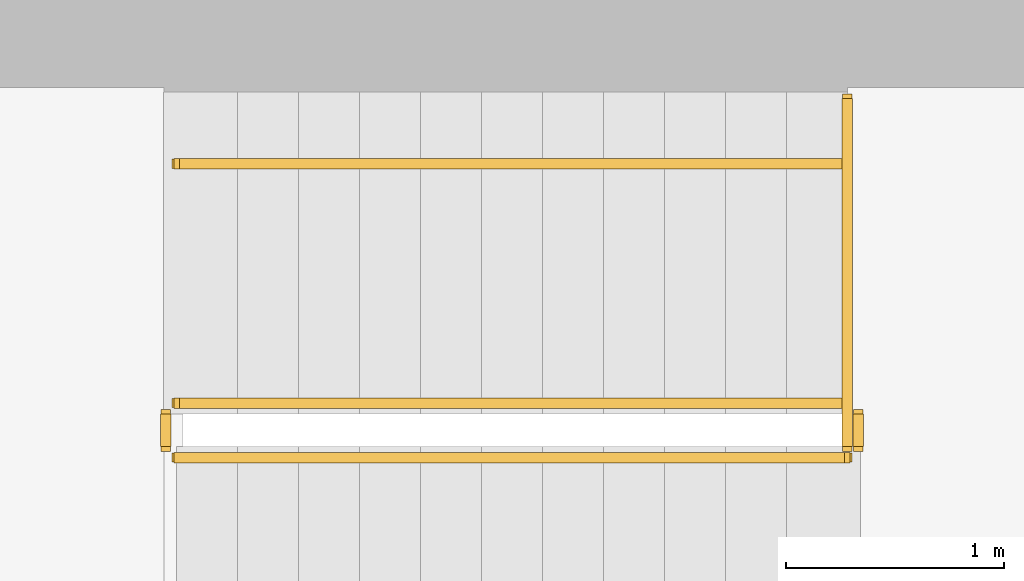
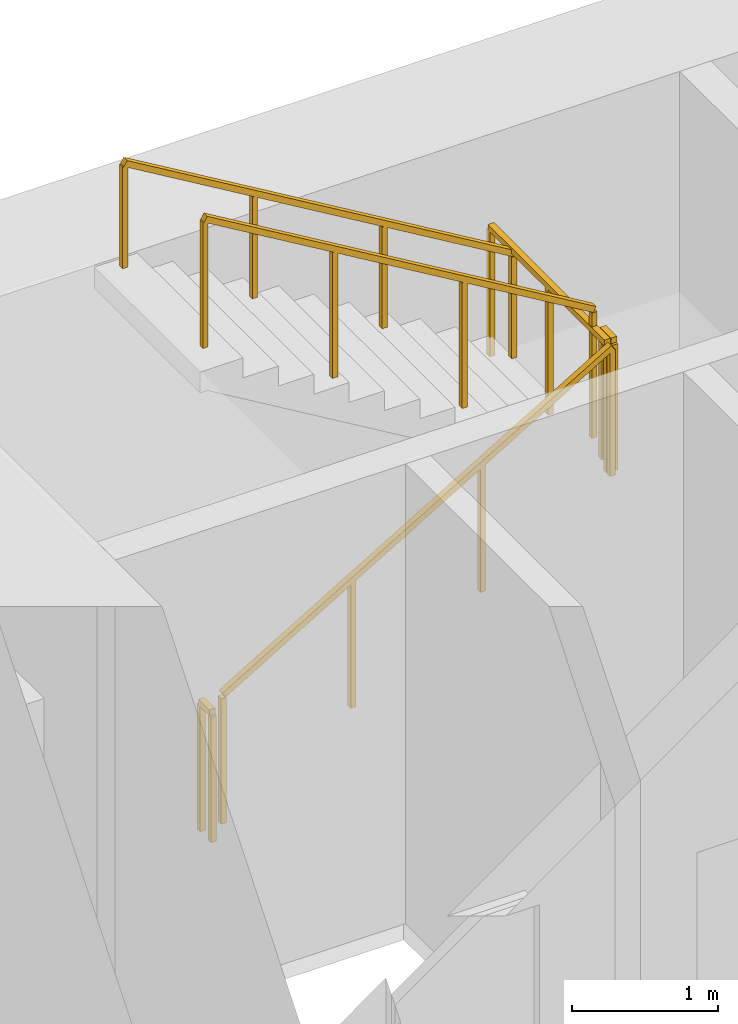
# One storey, part 15 of 16: 6 railings.
"""IFC4 building model written with IfcOpenShell, lengths in metres."""

from ifc_helpers import new_model, si_unit, direction, frame, origin, origin_2d, place, context, subcontext, project, spatial, rectangle, extrude, material, type_object, element, save


model = new_model("IFC4")

# Units and contexts
model_context = context("Model", 3, precision=1e-05, world=origin(), true_north=direction((0.0, 1.0)))
body_context = subcontext(model_context, "Body", "Model", "MODEL_VIEW")
ifc_project = project(units=[si_unit("LENGTHUNIT", "METRE"), si_unit("AREAUNIT", "SQUARE_METRE"), si_unit("VOLUMEUNIT", "CUBIC_METRE"), si_unit("PLANEANGLEUNIT", "RADIAN"), si_unit("MASSUNIT", "GRAM", prefix="KILO")], contexts=[model_context])

# Site, building, storey
site_placement = place(None, origin())
site = spatial("IfcSite", under=ifc_project, at=site_placement, CompositionType="ELEMENT")
building_placement = place(site_placement, origin())
building = spatial("IfcBuilding", under=site, at=building_placement, Name="Sennacour Bend Tower", CompositionType="ELEMENT")
storey_placement = place(building_placement, frame((0.0, 0.0, 207.0)))
storey = spatial("IfcBuildingStorey", under=building, at=storey_placement, Name="L47", CompositionType="ELEMENT", Elevation=207.0)

# Railings
ifc_material = material(Name="Stainless steel", Category="steel")
railing_type_1 = type_object("IfcRailingType", Name="RL-GUARD-1100", PredefinedType="GUARDRAIL", material=ifc_material)
railing_1_placement = place(storey_placement, frame((56.699951171875, 19.85009765625, 0.166748046875)))
element("IfcRailing", 1, at=railing_1_placement, inside=storey, type_object=railing_type_1, Name="L47 SA2 stair guard 1", PredefinedType="GUARDRAIL", context=body_context, shape_type="SweptSolid", body=[
    extrude(rectangle(XDim=0.048095703125, YDim=0.048095703125, at=origin_2d()), frame((0.0, 0.0, 1.076171875), z_axis=(0.859308565015, 0.0, 0.511457515432), x_axis=(0.0, 1.0, 0.0)), (0.0, 0.0, 1.0), 3.58447265625),
    extrude(rectangle(XDim=0.0419921875, YDim=0.0419921875, at=origin_2d()), origin(), (0.0, 0.0, 1.0), 1.052001953125),
    extrude(rectangle(XDim=0.0419921875, YDim=0.0419921875, at=origin_2d()), frame((1.026611328125, 0.0, 0.611083984375)), (0.0, 0.0, 1.0), 1.052001953125),
    extrude(rectangle(XDim=0.0419921875, YDim=0.0419921875, at=origin_2d()), frame((2.053466796875, 0.0, 1.22216796875)), (0.0, 0.0, 1.0), 1.052001953125),
    extrude(rectangle(XDim=0.0419921875, YDim=0.0419921875, at=origin_2d()), frame((3.080078125, 0.0, 1.833251953125)), (0.0, 0.0, 1.0), 1.052001953125),
])
railing_2_placement = place(storey_placement, frame((59.830078125, 19.89990234375, 2.0)))
element("IfcRailing", 2, at=railing_2_placement, inside=storey, type_object=railing_type_1, Name="L47 SA2 stair guard 2", PredefinedType="GUARDRAIL", context=body_context, shape_type="SweptSolid", body=[
    extrude(rectangle(XDim=0.048095703125, YDim=0.048095703125, at=origin_2d()), frame((0.0, 0.0, 1.076171875), z_axis=(0.0, 1.0, 0.0), x_axis=(-1.0, 0.0, 0.0)), (0.0, 0.0, 1.0), 0.150146484375),
    extrude(rectangle(XDim=0.0419921875, YDim=0.0419921875, at=origin_2d()), origin(), (0.0, 0.0, 1.0), 1.052001953125),
    extrude(rectangle(XDim=0.0419921875, YDim=0.0419921875, at=origin_2d()), frame((0.0, 0.150146484375, 0.0)), (0.0, 0.0, 1.0), 1.052001953125),
])
railing_3_placement = place(storey_placement, frame((59.780029296875, 20.10009765625, 2.166748046875)))
element("IfcRailing", 3, at=railing_3_placement, inside=storey, type_object=railing_type_1, Name="L47 SA2 stair guard 4", PredefinedType="GUARDRAIL", context=body_context, shape_type="SweptSolid", body=[
    extrude(rectangle(XDim=0.048095703125, YDim=0.048095703125, at=origin_2d()), frame((0.0, 0.0, 1.076171875), z_axis=(-0.859308565015, 0.0, 0.511457515432), x_axis=(0.0, -1.0, 0.0)), (0.0, 0.0, 1.0), 3.58447265625),
    extrude(rectangle(XDim=0.0419921875, YDim=0.0419921875, at=origin_2d()), origin(), (0.0, 0.0, 1.0), 1.052001953125),
    extrude(rectangle(XDim=0.0419921875, YDim=0.0419921875, at=origin_2d()), frame((-1.026611328125, 0.0, 0.611083984375)), (0.0, 0.0, 1.0), 1.052001953125),
    extrude(rectangle(XDim=0.0419921875, YDim=0.0419921875, at=origin_2d()), frame((-2.053466796875, 0.0, 1.22216796875)), (0.0, 0.0, 1.0), 1.052001953125),
    extrude(rectangle(XDim=0.0419921875, YDim=0.0419921875, at=origin_2d()), frame((-3.080078125, 0.0, 1.833251953125)), (0.0, 0.0, 1.0), 1.052001953125),
])
railing_4_placement = place(storey_placement, frame((56.64990234375, 19.89990234375, 0.0)))
element("IfcRailing", 4, at=railing_4_placement, inside=storey, type_object=railing_type_1, Name="L47 SA2 stair guard 5", PredefinedType="GUARDRAIL", context=body_context, shape_type="SweptSolid", body=[
    extrude(rectangle(XDim=0.048095703125, YDim=0.048095703125, at=origin_2d()), frame((0.0, 0.0, 1.076171875), z_axis=(0.0, 1.0, 0.0), x_axis=(-1.0, 0.0, 0.0)), (0.0, 0.0, 1.0), 0.150146484375),
    extrude(rectangle(XDim=0.0419921875, YDim=0.0419921875, at=origin_2d()), origin(), (0.0, 0.0, 1.0), 1.052001953125),
    extrude(rectangle(XDim=0.0419921875, YDim=0.0419921875, at=origin_2d()), frame((0.0, 0.150146484375, 0.0)), (0.0, 0.0, 1.0), 1.052001953125),
])
railing_5_placement = place(storey_placement, frame((59.780029296875, 19.89990234375, 2.0)))
element("IfcRailing", 5, at=railing_5_placement, inside=storey, type_object=railing_type_1, Name="L47 SA2 landing edge guard 64", PredefinedType="GUARDRAIL", context=body_context, shape_type="SweptSolid", body=[
    extrude(rectangle(XDim=0.048095703125, YDim=0.048095703125, at=origin_2d()), frame((0.0, 0.0, 1.076171875), z_axis=(0.0, 1.0, 0.0), x_axis=(-1.0, 0.0, 0.0)), (0.0, 0.0, 1.0), 1.60009765625),
    extrude(rectangle(XDim=0.0419921875, YDim=0.0419921875, at=origin_2d()), origin(), (0.0, 0.0, 1.0), 1.052001953125),
    extrude(rectangle(XDim=0.0419921875, YDim=0.0419921875, at=origin_2d()), frame((0.0, 0.800048828125, 0.0)), (0.0, 0.0, 1.0), 1.052001953125),
    extrude(rectangle(XDim=0.0419921875, YDim=0.0419921875, at=origin_2d()), frame((0.0, 1.60009765625, 0.0)), (0.0, 0.0, 1.0), 1.052001953125),
])
railing_type_2 = type_object("IfcRailingType", Name="RL-HANDRAIL-900", PredefinedType="HANDRAIL", material=ifc_material)
railing_6_placement = place(storey_placement, frame((59.780029296875, 21.199951171875, 2.166748046875)))
element("IfcRailing", 6, at=railing_6_placement, inside=storey, type_object=railing_type_2, Name="L47 SA2 stair handrail 2", PredefinedType="HANDRAIL", context=body_context, shape_type="SweptSolid", body=[
    extrude(rectangle(XDim=0.048095703125, YDim=0.048095703125, at=origin_2d()), frame((0.0, 0.0, 0.8759765625), z_axis=(-0.859308565015, 0.0, 0.511457515432), x_axis=(0.0, -1.0, 0.0)), (0.0, 0.0, 1.0), 3.58447265625),
    extrude(rectangle(XDim=0.0419921875, YDim=0.0419921875, at=origin_2d()), origin(), (0.0, 0.0, 1.0), 0.851806640625),
    extrude(rectangle(XDim=0.0419921875, YDim=0.0419921875, at=origin_2d()), frame((-1.026611328125, 0.0, 0.611083984375)), (0.0, 0.0, 1.0), 0.851806640625),
    extrude(rectangle(XDim=0.0419921875, YDim=0.0419921875, at=origin_2d()), frame((-2.053466796875, 0.0, 1.22216796875)), (0.0, 0.0, 1.0), 0.851806640625),
    extrude(rectangle(XDim=0.0419921875, YDim=0.0419921875, at=origin_2d()), frame((-3.080078125, 0.0, 1.833251953125)), (0.0, 0.0, 1.0), 0.851806640625),
])

save(model, "model.ifc")
